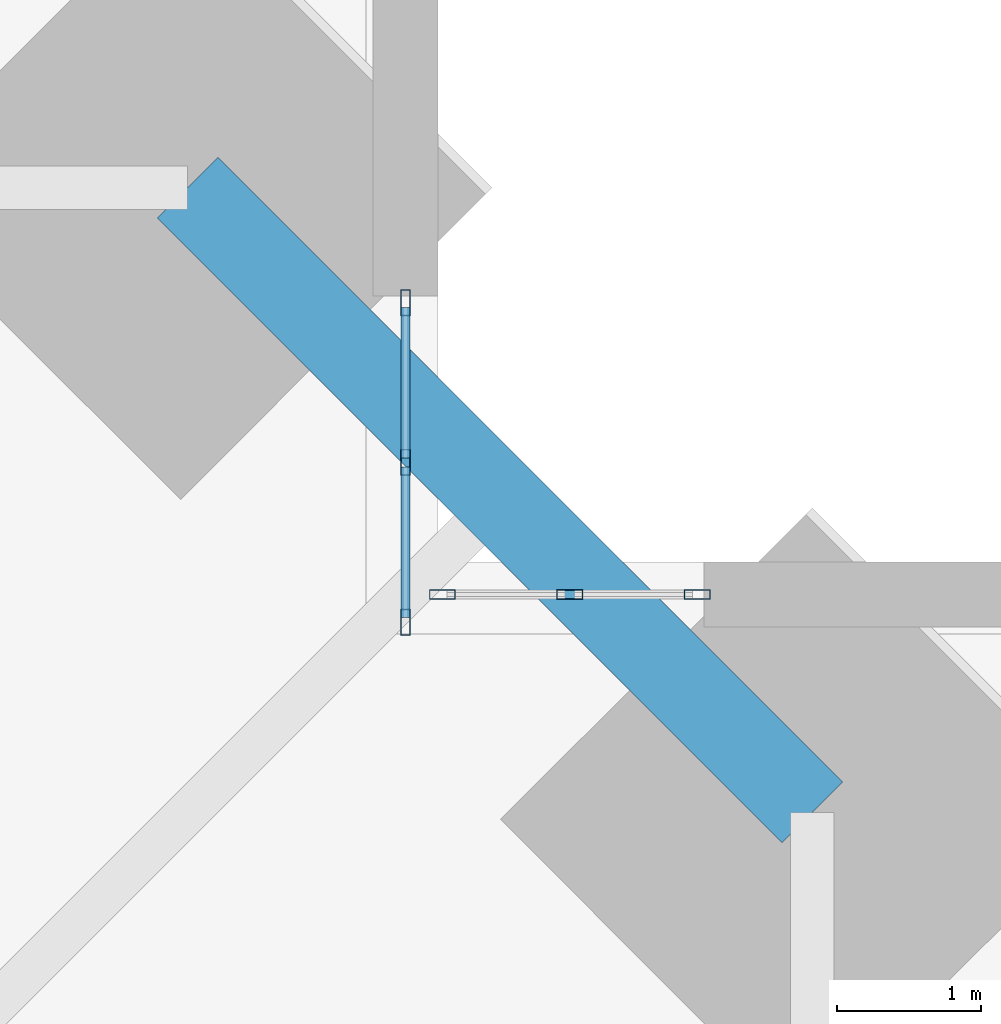
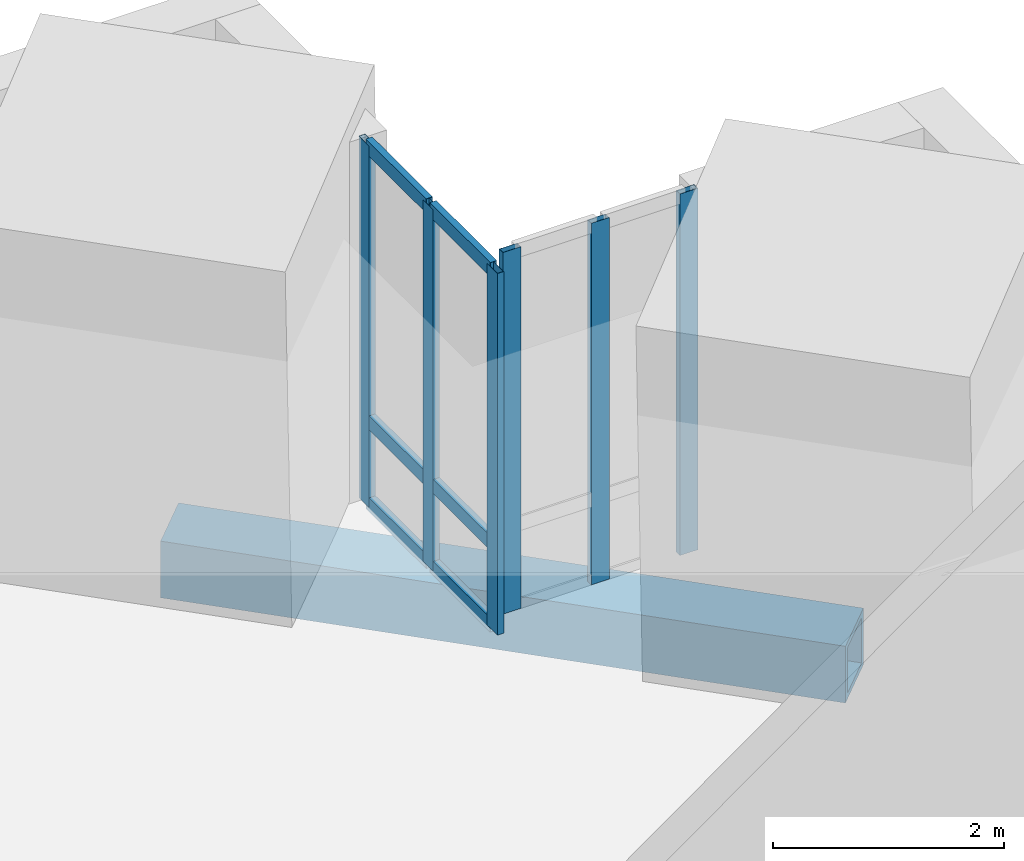
# One storey, part 8 of 15: 12 members, 1 beam, 2 elements without a shape of their own.
"""IFC4 building model written with IfcOpenShell, lengths in metres."""

import ifcopenshell
import ifcopenshell.guid

model = None  # the IFC model being written
_history = None  # IfcOwnerHistory: only IFC2X3 demands one
_inside = {}  # id of a spatial element -> (the spatial element, [elements in it])
_under = {}  # id of a project, library or spatial element -> (it, [spatial elements below it])
_declared = {}  # id of a project -> (the project, [libraries it declares])
_typed = {}  # id of a type object -> (the type object, [elements of that type])
_made_of = {}  # id of a material, layer set ... -> (it, [elements and type objects made of it])


def new_model(schema):
    """Start an empty IFC model of exactly this schema.

    Asked for "IFC4X3", IfcOpenShell would pick the latest addendum, in which some entities
    have other attributes; the version numbers below select the first issue.
    IFC2X3 requires an IfcOwnerHistory on every rooted entity: one is made here for all.
    """
    global model, _history
    if schema == "IFC4X3":
        model = ifcopenshell.file(schema_version=(4, 3, 0, 0))
    else:
        model = ifcopenshell.file(schema=schema)
    _inside.clear()
    _under.clear()
    _declared.clear()
    _typed.clear()
    _made_of.clear()
    _history = None
    if model.schema == "IFC2X3":
        org = make("IfcOrganization", Name="unknown")
        user = make(
            "IfcPersonAndOrganization",
            ThePerson=make("IfcPerson", FamilyName="unknown"),
            TheOrganization=org,
        )
        app = make(
            "IfcApplication",
            ApplicationDeveloper=org,
            Version="unknown",
            ApplicationFullName="unknown",
            ApplicationIdentifier="unknown",
        )
        _history = make(
            "IfcOwnerHistory",
            OwningUser=user,
            OwningApplication=app,
            ChangeAction="ADDED",
            CreationDate=0,
        )
    return model


def make(cls, **values):
    """One entity of the class cls with the attributes given. An attribute that is None is left unset."""
    return model.create_entity(
        cls, **{name: value for name, value in values.items() if value is not None}
    )


def rooted(cls, **values):
    """An entity with a GlobalId (a new one), such as an element, a storey or a relation."""
    return make(cls, GlobalId=ifcopenshell.guid.new(), OwnerHistory=_history, **values)


def si_unit(unit_type, name, prefix=None):
    """IfcSIUnit, for example si_unit("LENGTHUNIT", "METRE", prefix="MILLI")."""
    return make("IfcSIUnit", UnitType=unit_type, Prefix=prefix, Name=name)


def assignment(units):
    """IfcUnitAssignment: the units of a project."""
    return None if units is None else make("IfcUnitAssignment", Units=units)


def point(xyz):
    """IfcCartesianPoint."""
    return None if xyz is None else make("IfcCartesianPoint", Coordinates=xyz)


def direction(xyz):
    """IfcDirection."""
    return None if xyz is None else make("IfcDirection", DirectionRatios=xyz)


def frame(location, z_axis=None, x_axis=None):
    """IfcAxis2Placement3D, a coordinate frame: its origin and axes. An axis left out is left unset."""
    return make(
        "IfcAxis2Placement3D",
        Location=point(location),
        Axis=direction(z_axis),
        RefDirection=direction(x_axis),
    )


def frame_2d(location, x_axis=None):
    """IfcAxis2Placement2D, a coordinate frame in the plane: its origin and x axis."""
    return make(
        "IfcAxis2Placement2D", Location=point(location), RefDirection=direction(x_axis)
    )


def origin():
    """The frame at (0, 0, 0) with its axes left unset."""
    return frame((0.0, 0.0, 0.0))


def origin_2d():
    """The frame at (0, 0) in the plane with its x axis left unset."""
    return frame_2d((0.0, 0.0))


def place(relative_to, where):
    """IfcLocalPlacement: puts the frame where relative to a parent placement (None: the world)."""
    return make(
        "IfcLocalPlacement", PlacementRelTo=relative_to, RelativePlacement=where
    )


def context(
    kind, dimensions, precision=None, world=None, true_north=None, identifier=None
):
    """IfcGeometricRepresentationContext, for example the 3D "Model" context."""
    return make(
        "IfcGeometricRepresentationContext",
        ContextIdentifier=identifier,
        ContextType=kind,
        CoordinateSpaceDimension=dimensions,
        Precision=precision,
        WorldCoordinateSystem=world,
        TrueNorth=true_north,
    )


def subcontext(parent, identifier, kind, view, scale=None):
    """IfcGeometricRepresentationSubContext, for example "Body" below "Model"."""
    return make(
        "IfcGeometricRepresentationSubContext",
        ContextIdentifier=identifier,
        ContextType=kind,
        ParentContext=parent,
        TargetScale=scale,
        TargetView=view,
    )


def project(units=None, contexts=None):
    """IfcProject with its units and contexts."""
    return rooted(
        "IfcProject",
        Name="project",
        RepresentationContexts=contexts,
        UnitsInContext=assignment(units),
    )


def spatial(cls, under=None, at=None, **own):
    """A site, building, storey or space (cls), placed at a placement, below another one or the project."""
    s = rooted(cls, ObjectPlacement=at, **own)
    if under is not None:
        _under.setdefault(under.id(), (under, []))[1].append(s)
    return s


def profile(cls, at=None, kind="AREA", **sizes):
    """A parametric profile (cls). Its sizes go by their IFC names, for example OverallWidth=200.0."""
    return make(cls, ProfileType=kind, Position=at, **sizes)


def hollow_rectangle(**sizes):
    """IfcRectangleHollowProfileDef."""
    return profile("IfcRectangleHollowProfileDef", **sizes)


def extrude(swept, where, along, depth):
    """IfcExtrudedAreaSolid: the profile swept, set in the frame where, extruded along a direction by depth."""
    return make(
        "IfcExtrudedAreaSolid",
        SweptArea=swept,
        Position=where,
        ExtrudedDirection=direction(along),
        Depth=depth,
    )


def shape(context_of_items, identifier, shape_type, items):
    """IfcShapeRepresentation: the items that make up one representation, for example the "Body"."""
    return make(
        "IfcShapeRepresentation",
        ContextOfItems=context_of_items,
        RepresentationIdentifier=identifier,
        RepresentationType=shape_type,
        Items=items,
    )


def material(Name=None, Category=None):
    """IfcMaterial."""
    return make("IfcMaterial", Name=Name, Category=Category)


def material_profile(
    of_material, cross_section, Name=None, Category=None, Priority=None
):
    """IfcMaterialProfile: a cross section and its material."""
    return make(
        "IfcMaterialProfile",
        Name=Name,
        Material=of_material,
        Profile=cross_section,
        Priority=Priority,
        Category=Category,
    )


def profile_set(profiles, Name=None, composite=None):
    """IfcMaterialProfileSet."""
    return make(
        "IfcMaterialProfileSet",
        Name=Name,
        MaterialProfiles=profiles,
        CompositeProfile=composite,
    )


def made_of(thing, what):
    """Note that an element or type object is made of a material, layer set ...; save() writes the relation."""
    if what is not None:
        _made_of.setdefault(what.id(), (what, []))[1].append(thing)
    return thing


def type_object(cls, material=None, **own):
    """A type object (cls), such as IfcWallType, which elements share."""
    return made_of(rooted(cls, **own), material)


def element(
    cls,
    number,
    at=None,
    inside=None,
    cuts=None,
    type_object=None,
    material=None,
    context=None,
    identifier="Body",
    shape_type=None,
    held_by="IfcProductDefinitionShape",
    body=None,
    shapes=None,
    **own,
):
    """One element of the class cls, such as IfcWall. Its Tag is "e" and its number.

    at: its placement. inside: the storey or other place that contains it. cuts: it is an
    opening in that element (IfcRelVoidsElement). A single representation is given by context,
    identifier, shape_type and body (its items); several are given by shapes. held_by: the class
    of the entity that holds the representations. save() writes the other relations.
    """
    e = rooted(cls, Tag="e%d" % number, ObjectPlacement=at, **own)
    if body is not None:
        shapes = [shape(context, identifier, shape_type, body)]
    if shapes is not None:
        e.Representation = make(held_by, Representations=shapes)
    if inside is not None:
        _inside.setdefault(inside.id(), (inside, []))[1].append(e)
    if cuts is not None:
        rooted(
            "IfcRelVoidsElement", RelatingBuildingElement=cuts, RelatedOpeningElement=e
        )
    if type_object is not None:
        _typed.setdefault(type_object.id(), (type_object, []))[1].append(e)
    return made_of(e, material)


def aggregate(whole, parts):
    """IfcRelAggregates: a whole, such as a stair, and the parts it consists of."""
    return rooted("IfcRelAggregates", RelatingObject=whole, RelatedObjects=parts)


def save(model, path):
    """Write the relations noted so far, then the file.

    IfcRelAggregates (storeys below a building ...), IfcRelContainedInSpatialStructure (elements
    in a storey), IfcRelDefinesByType, IfcRelAssociatesMaterial and IfcRelDeclares: one each for
    every whole, place, type object, material and project.
    """
    for whole, parts in _under.values():
        aggregate(whole, parts)
    for where, things in _inside.values():
        rooted(
            "IfcRelContainedInSpatialStructure",
            RelatedElements=things,
            RelatingStructure=where,
        )
    for kind, things in _typed.values():
        rooted("IfcRelDefinesByType", RelatedObjects=things, RelatingType=kind)
    for what, things in _made_of.values():
        rooted("IfcRelAssociatesMaterial", RelatedObjects=things, RelatingMaterial=what)
    for by, libraries in _declared.values():
        rooted("IfcRelDeclares", RelatingContext=by, RelatedDefinitions=libraries)
    model.write(path)


model = new_model("IFC4")

# Units and contexts
model_context = context("Model", 3, precision=1e-05, world=origin(), true_north=direction((0.0, 1.0)))
body_context = subcontext(model_context, "Body", "Model", "MODEL_VIEW")
ifc_project = project(units=[si_unit("LENGTHUNIT", "METRE"), si_unit("AREAUNIT", "SQUARE_METRE"), si_unit("VOLUMEUNIT", "CUBIC_METRE"), si_unit("PLANEANGLEUNIT", "RADIAN"), si_unit("MASSUNIT", "GRAM", prefix="KILO")], contexts=[model_context])

# Site, building, storey
site_placement = place(None, origin())
site = spatial("IfcSite", under=ifc_project, at=site_placement, CompositionType="ELEMENT")
building_placement = place(site_placement, origin())
building = spatial("IfcBuilding", under=site, at=building_placement, Name="Peilmerk Tower", CompositionType="ELEMENT")
storey_placement = place(building_placement, frame((0.0, 0.0, 237.800048828125)))
storey = spatial("IfcBuildingStorey", under=building, at=storey_placement, Name="L52", CompositionType="ELEMENT", Elevation=237.800048828125)

# Beam
ifc_material_1 = material(Name="Steel S460", Category="steel")
ifc_material_profile_1 = material_profile(ifc_material_1, hollow_rectangle(XDim=0.60009765625, YDim=0.60009765625, WallThickness=0.06005859375, at=origin_2d()), Name="BOX 600x600x60")
ifc_profile_set_1 = profile_set([ifc_material_profile_1], Name="Steel S460")
beam_type = type_object("IfcBeamType", Name="B20 BOX 600x600x60 notch beam", PredefinedType="SPANDREL", material=ifc_profile_set_1)
beam_placement = place(storey_placement, frame((16.9580078125, 21.30810546875, -0.469970703125), z_axis=(0.707106781187, -0.707106781187, 0.0), x_axis=(0.707106781187, 0.707106781187, 0.0)))
element("IfcBeam", 1, at=beam_placement, inside=storey, type_object=beam_type, Name="Notch beam L52", PredefinedType="SPANDREL", context=body_context, shape_type="SweptSolid", body=[
    extrude(hollow_rectangle(XDim=0.60009765625, YDim=0.60009765625, WallThickness=0.06005859375, at=origin_2d()), origin(), (0.0, 0.0, 1.0), 6.15185546875),
])

# Curtain wall, members
ifc_material_2 = material(Name="Aluminium stick curtain wall", Category="aluminium")
curtain_wall_type = type_object("IfcCurtainWallType", Name="CW4 stick curtain wall, 2250 module", PredefinedType="NOTDEFINED", material=ifc_material_2)
curtain_wall_1_placement = place(storey_placement, origin())
curtain_wall_1 = element("IfcCurtainWall", 2, at=curtain_wall_1_placement, inside=storey, type_object=curtain_wall_type, Name="Curtain wall CW4 NEA L52", PredefinedType="NOTDEFINED")
ifc_material_3 = material(Name="Aluminium EN AW-6063 T6", Category="aluminium")
ifc_material_profile_2 = material_profile(ifc_material_3, hollow_rectangle(XDim=0.06494140625, YDim=0.179931640625, WallThickness=0.0029296875, at=origin_2d()), Name="AL 180x65x3")
ifc_profile_set_2 = profile_set([ifc_material_profile_2], Name="Aluminium EN AW-6063 T6")
member_type_1 = type_object("IfcMemberType", Name="CW4-M AL 180x65x3 mullion", PredefinedType="MULLION", material=ifc_profile_set_2)
member_1_placement = place(storey_placement, frame((18.47509765625, 18.282470703125, 0.0), z_axis=(0.0, 0.0, 1.0), x_axis=(-1.0, 0.0, 0.0)))
member_1 = element("IfcMember", 3, at=member_1_placement, type_object=member_type_1, Name="CW4 mullion 1", PredefinedType="MULLION", context=body_context, shape_type="SweptSolid", body=[
    extrude(hollow_rectangle(XDim=0.06494140625, YDim=0.179931640625, WallThickness=0.0029296875, at=origin_2d()), origin(), (0.0, 0.0, 1.0), 3.829833984375),
])
member_2_placement = place(storey_placement, frame((18.47509765625, 19.394287109375, 0.0), z_axis=(0.0, 0.0, 1.0), x_axis=(-1.0, 0.0, 0.0)))
member_2 = element("IfcMember", 4, at=member_2_placement, type_object=member_type_1, Name="CW4 mullion 2", PredefinedType="MULLION", context=body_context, shape_type="SweptSolid", body=[
    extrude(hollow_rectangle(XDim=0.06494140625, YDim=0.179931640625, WallThickness=0.0029296875, at=origin_2d()), origin(), (0.0, 0.0, 1.0), 3.829833984375),
])
member_3_placement = place(storey_placement, frame((18.47509765625, 20.506103515625, 0.0), z_axis=(0.0, 0.0, 1.0), x_axis=(-1.0, 0.0, 0.0)))
member_3 = element("IfcMember", 5, at=member_3_placement, type_object=member_type_1, Name="CW4 mullion 3", PredefinedType="MULLION", context=body_context, shape_type="SweptSolid", body=[
    extrude(hollow_rectangle(XDim=0.06494140625, YDim=0.179931640625, WallThickness=0.0029296875, at=origin_2d()), origin(), (0.0, 0.0, 1.0), 3.829833984375),
])

curtain_wall_2_placement = place(storey_placement, origin())
curtain_wall_2 = element("IfcCurtainWall", 6, at=curtain_wall_2_placement, inside=storey, type_object=curtain_wall_type, Name="Curtain wall CW4 NEB L52", PredefinedType="NOTDEFINED")
member_4_placement = place(storey_placement, frame((18.732421875, 18.47509765625, 0.0), z_axis=(0.0, 0.0, 1.0), x_axis=(0.0, 1.0, 0.0)))
member_4 = element("IfcMember", 7, at=member_4_placement, type_object=member_type_1, Name="CW4 mullion 1", PredefinedType="MULLION", context=body_context, shape_type="SweptSolid", body=[
    extrude(hollow_rectangle(XDim=0.06494140625, YDim=0.179931640625, WallThickness=0.0029296875, at=origin_2d()), origin(), (0.0, 0.0, 1.0), 3.829833984375),
])
member_5_placement = place(storey_placement, frame((19.619384765625, 18.47509765625, 0.0), z_axis=(0.0, 0.0, 1.0), x_axis=(0.0, 1.0, 0.0)))
member_5 = element("IfcMember", 8, at=member_5_placement, type_object=member_type_1, Name="CW4 mullion 2", PredefinedType="MULLION", context=body_context, shape_type="SweptSolid", body=[
    extrude(hollow_rectangle(XDim=0.06494140625, YDim=0.179931640625, WallThickness=0.0029296875, at=origin_2d()), origin(), (0.0, 0.0, 1.0), 3.829833984375),
])
member_6_placement = place(storey_placement, frame((20.506103515625, 18.47509765625, 0.0), z_axis=(0.0, 0.0, 1.0), x_axis=(0.0, 1.0, 0.0)))
member_6 = element("IfcMember", 9, at=member_6_placement, type_object=member_type_1, Name="CW4 mullion 3", PredefinedType="MULLION", context=body_context, shape_type="SweptSolid", body=[
    extrude(hollow_rectangle(XDim=0.06494140625, YDim=0.179931640625, WallThickness=0.0029296875, at=origin_2d()), origin(), (0.0, 0.0, 1.0), 3.829833984375),
])
aggregate(curtain_wall_2, [member_4, member_5, member_6])

# Member
ifc_material_profile_3 = material_profile(ifc_material_3, hollow_rectangle(XDim=0.06494140625, YDim=0.14990234375, WallThickness=0.0029296875, at=origin_2d()), Name="AL 150x65x3")
ifc_profile_set_3 = profile_set([ifc_material_profile_3], Name="Aluminium EN AW-6063 T6")
member_type_2 = type_object("IfcMemberType", Name="CW4-T AL 150x65x3 transom", PredefinedType="USERDEFINED", material=ifc_profile_set_3)
member_7_placement = place(storey_placement, frame((18.47509765625, 18.31494140625, 0.032470703125), z_axis=(0.0, 1.0, 0.0), x_axis=(-1.0, 0.0, 0.0)))
member_7 = element("IfcMember", 10, at=member_7_placement, type_object=member_type_2, Name="CW4 transom 1.1", ObjectType="TRANSOM", PredefinedType="USERDEFINED", context=body_context, shape_type="SweptSolid", body=[
    extrude(hollow_rectangle(XDim=0.06494140625, YDim=0.14990234375, WallThickness=0.0029296875, at=origin_2d()), origin(), (0.0, 0.0, 1.0), 1.046875),
])

member_8_placement = place(storey_placement, frame((18.47509765625, 18.31494140625, 0.89990234375), z_axis=(0.0, 1.0, 0.0), x_axis=(-1.0, 0.0, 0.0)))
member_8 = element("IfcMember", 11, at=member_8_placement, type_object=member_type_2, Name="CW4 transom 1.2", ObjectType="TRANSOM", PredefinedType="USERDEFINED", context=body_context, shape_type="SweptSolid", body=[
    extrude(hollow_rectangle(XDim=0.06494140625, YDim=0.14990234375, WallThickness=0.0029296875, at=origin_2d()), origin(), (0.0, 0.0, 1.0), 1.046875),
])

member_9_placement = place(storey_placement, frame((18.47509765625, 18.31494140625, 3.79736328125), z_axis=(0.0, 1.0, 0.0), x_axis=(-1.0, 0.0, 0.0)))
member_9 = element("IfcMember", 12, at=member_9_placement, type_object=member_type_2, Name="CW4 transom 1.3", ObjectType="TRANSOM", PredefinedType="USERDEFINED", context=body_context, shape_type="SweptSolid", body=[
    extrude(hollow_rectangle(XDim=0.06494140625, YDim=0.14990234375, WallThickness=0.0029296875, at=origin_2d()), origin(), (0.0, 0.0, 1.0), 1.046875),
])

member_10_placement = place(storey_placement, frame((18.47509765625, 19.4267578125, 0.032470703125), z_axis=(0.0, 1.0, 0.0), x_axis=(-1.0, 0.0, 0.0)))
member_10 = element("IfcMember", 13, at=member_10_placement, type_object=member_type_2, Name="CW4 transom 2.1", ObjectType="TRANSOM", PredefinedType="USERDEFINED", context=body_context, shape_type="SweptSolid", body=[
    extrude(hollow_rectangle(XDim=0.06494140625, YDim=0.14990234375, WallThickness=0.0029296875, at=origin_2d()), origin(), (0.0, 0.0, 1.0), 1.046875),
])

member_11_placement = place(storey_placement, frame((18.47509765625, 19.4267578125, 0.89990234375), z_axis=(0.0, 1.0, 0.0), x_axis=(-1.0, 0.0, 0.0)))
member_11 = element("IfcMember", 14, at=member_11_placement, type_object=member_type_2, Name="CW4 transom 2.2", ObjectType="TRANSOM", PredefinedType="USERDEFINED", context=body_context, shape_type="SweptSolid", body=[
    extrude(hollow_rectangle(XDim=0.06494140625, YDim=0.14990234375, WallThickness=0.0029296875, at=origin_2d()), origin(), (0.0, 0.0, 1.0), 1.046875),
])

member_12_placement = place(storey_placement, frame((18.47509765625, 19.4267578125, 3.79736328125), z_axis=(0.0, 1.0, 0.0), x_axis=(-1.0, 0.0, 0.0)))
member_12 = element("IfcMember", 15, at=member_12_placement, type_object=member_type_2, Name="CW4 transom 2.3", ObjectType="TRANSOM", PredefinedType="USERDEFINED", context=body_context, shape_type="SweptSolid", body=[
    extrude(hollow_rectangle(XDim=0.06494140625, YDim=0.14990234375, WallThickness=0.0029296875, at=origin_2d()), origin(), (0.0, 0.0, 1.0), 1.046875),
])

aggregate(curtain_wall_1, [member_1, member_2, member_3, member_7, member_8, member_9, member_10, member_11, member_12])

save(model, "model.ifc")
